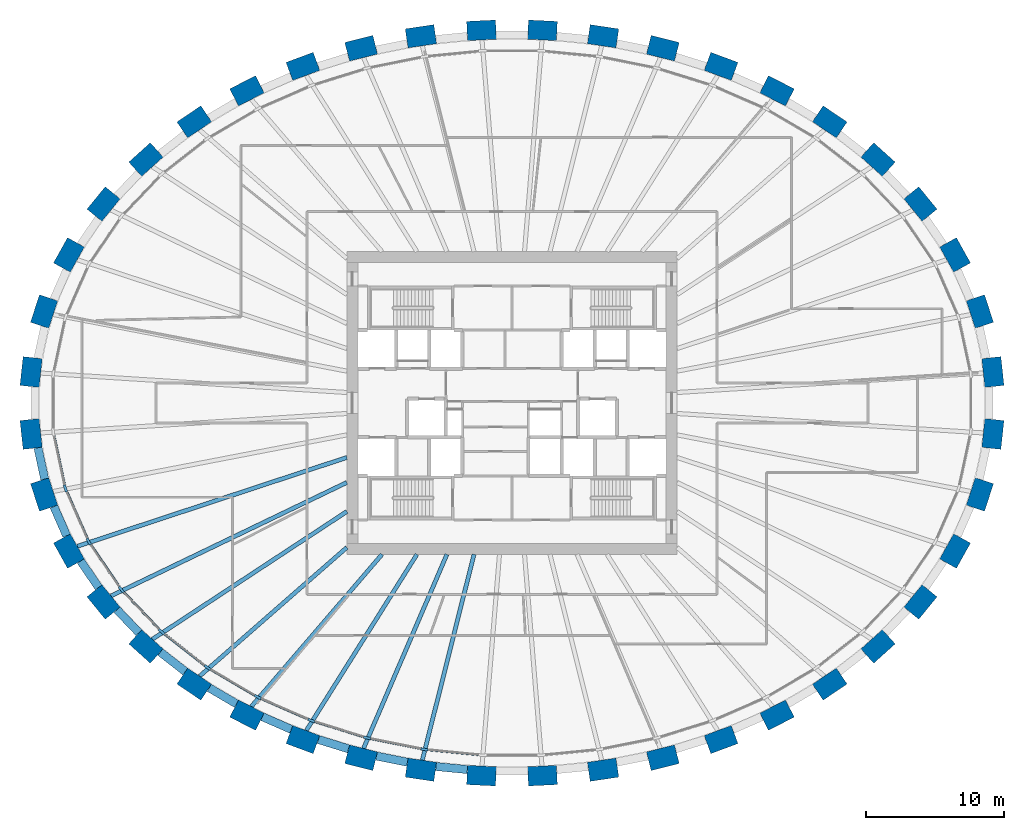
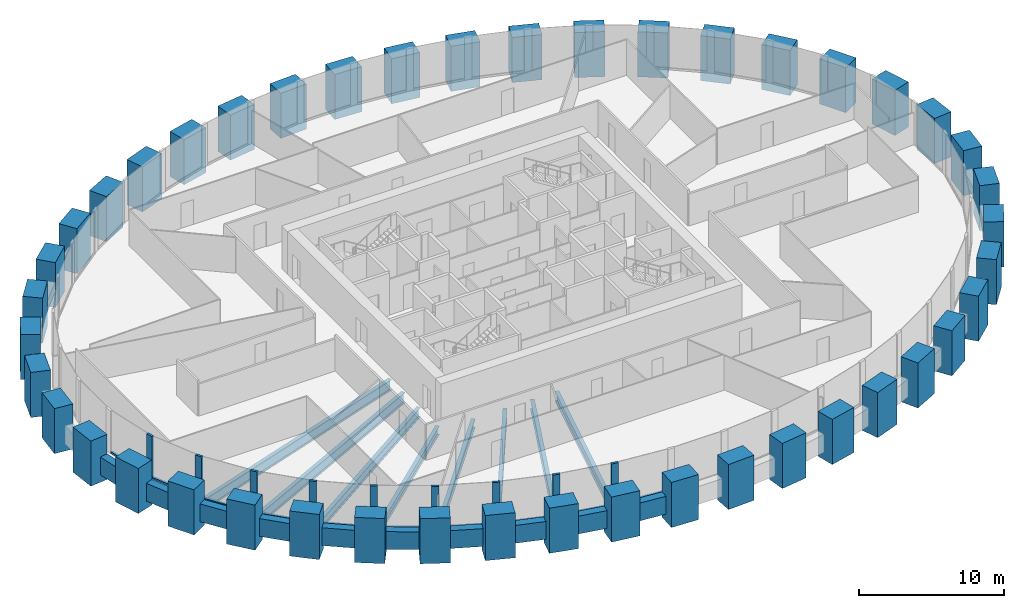
# One storey, part 1 of 11: 44 columns, 19 members, 18 beams, 1 element without a shape of its own.
"""IFC4 building model written with IfcOpenShell, lengths in metres."""

from ifc_helpers import new_model, si_unit, direction, frame, origin, origin_2d, place, context, subcontext, project, spatial, rectangle, i_section, extrude, source, transform, mapped, material, material_profile, profile_set, type_object, element, aggregate, save


model = new_model("IFC4")

# Units and contexts
model_context = context("Model", 3, precision=1e-05, world=origin(), true_north=direction((0.0, 1.0)))
body_context = subcontext(model_context, "Body", "Model", "MODEL_VIEW")
ifc_project = project(units=[si_unit("LENGTHUNIT", "METRE"), si_unit("AREAUNIT", "SQUARE_METRE"), si_unit("VOLUMEUNIT", "CUBIC_METRE"), si_unit("PLANEANGLEUNIT", "RADIAN"), si_unit("MASSUNIT", "GRAM", prefix="KILO")], contexts=[model_context])

# Site, building, storey
site_placement = place(None, origin())
site = spatial("IfcSite", under=ifc_project, at=site_placement, CompositionType="ELEMENT")
building_placement = place(site_placement, origin())
building = spatial("IfcBuilding", under=site, at=building_placement, Name="Embergate Tower", CompositionType="ELEMENT")
storey_placement = place(building_placement, frame((0.0, 0.0, 230.699951171875)))
storey = spatial("IfcBuildingStorey", under=building, at=storey_placement, Name="L53", CompositionType="ELEMENT", Elevation=230.699951171875)

# Columns
ifc_material_1 = material(Name="Concrete C60", Category="concrete")
ifc_material_profile_1 = material_profile(ifc_material_1, rectangle(XDim=1.39990234375, YDim=2.10009765625, at=origin_2d()), Name="RC 1400x2100")
ifc_profile_set_1 = profile_set([ifc_material_profile_1], Name="Concrete C60")
column_type = type_object("IfcColumnType", Name="Ring column RC 1400x2100 C60", PredefinedType="COLUMN", material=ifc_profile_set_1)
shared_shape_1 = source(origin(), body_context, "Body", "SweptSolid", [
    extrude(rectangle(XDim=1.39990234375, YDim=2.10009765625, at=origin_2d()), origin(), (0.0, 0.0, 1.0), 3.800048828125),
])
for number, where, z_axis, x_axis, name in (
    (1, (34.93505859375, 2.25, -1.39990234375), (0.0, 0.0, 1.0), (0.99428589498, 0.106749983816, 0.0), "COL-L53-00"),
    (2, (33.989990234375, 6.64501953125, -1.39990234375), (0.0, 0.0, 1.0), (0.950754033697, 0.309946394413, 0.0), "COL-L53-01"),
    (3, (32.18798828125, 10.75390625, -1.39990234375), (0.0, 0.0, 1.0), (0.873500465855, 0.486823311018, 0.0), "COL-L53-02"),
    (4, (29.672119140625, 14.455078125, -1.39990234375), (0.0, 0.0, 1.0), (0.775925311702, 0.630824786022, 0.0), "COL-L53-03"),
    (5, (26.592041015625, 17.68408203125, -1.39990234375), (0.0, 0.0, 1.0), (0.669221393633, 0.743063070206, 0.0), "COL-L53-04"),
    (6, (23.0830078125, 20.423095703125, -1.39990234375), (0.0, 0.0, 1.0), (0.560393279442, 0.828226643109, 0.0), "COL-L53-05"),
    (7, (19.2529296875, 22.675048828125, -1.39990234375), (0.0, 0.0, 1.0), (0.453010512651, 0.891505174089, 0.0), "COL-L53-06"),
    (8, (15.18896484375, 24.452880859375, -1.39990234375), (0.0, 0.0, 1.0), (0.348343015724, 0.93736713373, 0.0), "COL-L53-07"),
    (9, (10.9580078125, 25.77001953125, -1.39990234375), (0.0, 0.0, 1.0), (0.24650851817, 0.969140624713, 0.0), "COL-L53-08"),
    (10, (6.616943359375, 26.64111328125, -1.39990234375), (0.0, 0.0, 1.0), (0.146929011949, 0.989147039346, 0.0), "COL-L53-09"),
    (11, (2.212890625, 27.073974609375, -1.39990234375), (0.0, 0.0, 1.0), (0.048814904854, 0.998807841912, 0.0), "COL-L53-10"),
    (12, (-2.212890625, 27.073974609375, -1.39990234375), (0.0, 0.0, 1.0), (-0.048814904854, 0.998807841912, 0.0), "COL-L53-11"),
    (13, (-6.616943359375, 26.64111328125, -1.39990234375), (0.0, 0.0, 1.0), (-0.146929011949, 0.989147039346, 0.0), "COL-L53-12"),
    (14, (-10.9580078125, 25.77001953125, -1.39990234375), (0.0, 0.0, 1.0), (-0.24650851817, 0.969140624713, 0.0), "COL-L53-13"),
    (15, (-15.18896484375, 24.452880859375, -1.39990234375), (0.0, 0.0, 1.0), (-0.348343015724, 0.93736713373, 0.0), "COL-L53-14"),
    (16, (-19.2529296875, 22.675048828125, -1.39990234375), (0.0, 0.0, 1.0), (-0.453010512651, 0.891505174089, 0.0), "COL-L53-15"),
    (17, (-23.0830078125, 20.423095703125, -1.39990234375), (0.0, 0.0, 1.0), (-0.560393279442, 0.828226643109, 0.0), "COL-L53-16"),
    (18, (-26.592041015625, 17.68408203125, -1.39990234375), (0.0, 0.0, 1.0), (-0.669221393633, 0.743063070206, 0.0), "COL-L53-17"),
    (19, (-29.672119140625, 14.455078125, -1.39990234375), (0.0, 0.0, 1.0), (-0.775925311702, 0.630824786022, 0.0), "COL-L53-18"),
    (20, (-32.18798828125, 10.75390625, -1.39990234375), (0.0, 0.0, 1.0), (-0.873500465855, 0.486823311018, 0.0), "COL-L53-19"),
    (21, (-33.989990234375, 6.64501953125, -1.39990234375), (0.0, 0.0, 1.0), (-0.950754033697, 0.309946394413, 0.0), "COL-L53-20"),
    (22, (-34.93505859375, 2.25, -1.39990234375), (0.0, 0.0, 1.0), (-0.99428589498, 0.106749983816, 0.0), "COL-L53-21"),
    (23, (-34.93505859375, -2.25, -1.39990234375), (0.0, 0.0, 1.0), (-0.99428589498, -0.106749983816, 0.0), "COL-L53-22"),
    (24, (-33.989990234375, -6.64501953125, -1.39990234375), (0.0, 0.0, 1.0), (-0.950754033697, -0.309946394413, 0.0), "COL-L53-23"),
    (25, (-32.18798828125, -10.75390625, -1.39990234375), (0.0, 0.0, 1.0), (-0.873500465855, -0.486823311018, 0.0), "COL-L53-24"),
    (26, (-29.672119140625, -14.455078125, -1.39990234375), (0.0, 0.0, 1.0), (-0.775925311702, -0.630824786022, 0.0), "COL-L53-25"),
    (27, (-26.592041015625, -17.68408203125, -1.39990234375), (0.0, 0.0, 1.0), (-0.669221393633, -0.743063070206, 0.0), "COL-L53-26"),
    (28, (-23.0830078125, -20.423095703125, -1.39990234375), (0.0, 0.0, 1.0), (-0.560393279442, -0.828226643109, 0.0), "COL-L53-27"),
    (29, (-19.2529296875, -22.675048828125, -1.39990234375), (0.0, 0.0, 1.0), (-0.453010512651, -0.891505174089, 0.0), "COL-L53-28"),
    (30, (-15.18896484375, -24.452880859375, -1.39990234375), (0.0, 0.0, 1.0), (-0.348343015724, -0.93736713373, 0.0), "COL-L53-29"),
    (31, (-10.9580078125, -25.77001953125, -1.39990234375), (0.0, 0.0, 1.0), (-0.24650851817, -0.969140624713, 0.0), "COL-L53-30"),
    (32, (-6.616943359375, -26.64111328125, -1.39990234375), (0.0, 0.0, 1.0), (-0.146929011949, -0.989147039346, 0.0), "COL-L53-31"),
    (33, (-2.212890625, -27.073974609375, -1.39990234375), (0.0, 0.0, 1.0), (-0.048814904854, -0.998807841912, 0.0), "COL-L53-32"),
    (34, (2.212890625, -27.073974609375, -1.39990234375), (0.0, 0.0, 1.0), (0.048814904854, -0.998807841912, 0.0), "COL-L53-33"),
    (35, (6.616943359375, -26.64111328125, -1.39990234375), (0.0, 0.0, 1.0), (0.146929011949, -0.989147039346, 0.0), "COL-L53-34"),
    (36, (10.9580078125, -25.77001953125, -1.39990234375), (0.0, 0.0, 1.0), (0.24650851817, -0.969140624713, 0.0), "COL-L53-35"),
    (37, (15.18896484375, -24.452880859375, -1.39990234375), (0.0, 0.0, 1.0), (0.348343015724, -0.93736713373, 0.0), "COL-L53-36"),
    (38, (19.2529296875, -22.675048828125, -1.39990234375), (0.0, 0.0, 1.0), (0.453010512651, -0.891505174089, 0.0), "COL-L53-37"),
    (39, (23.0830078125, -20.423095703125, -1.39990234375), (0.0, 0.0, 1.0), (0.560393279442, -0.828226643109, 0.0), "COL-L53-38"),
    (40, (26.592041015625, -17.68408203125, -1.39990234375), (0.0, 0.0, 1.0), (0.669221393633, -0.743063070206, 0.0), "COL-L53-39"),
    (41, (29.672119140625, -14.455078125, -1.39990234375), (0.0, 0.0, 1.0), (0.775925311702, -0.630824786022, 0.0), "COL-L53-40"),
    (42, (32.18798828125, -10.75390625, -1.39990234375), (0.0, 0.0, 1.0), (0.873500465855, -0.486823311018, 0.0), "COL-L53-41"),
    (43, (33.989990234375, -6.64501953125, -1.39990234375), (0.0, 0.0, 1.0), (0.950754033697, -0.309946394413, 0.0), "COL-L53-42"),
    (44, (34.93505859375, -2.25, -1.39990234375), (0.0, 0.0, 1.0), (0.99428589498, -0.106749983816, 0.0), "COL-L53-43"),
):
    element("IfcColumn", number, at=place(storey_placement, frame(where, z_axis=z_axis, x_axis=x_axis)), inside=storey, type_object=column_type, Name=name, PredefinedType="COLUMN", context=body_context, shape_type="MappedRepresentation", body=[
        mapped(shared_shape_1, transform((0.0, 0.0, 0.0))),
    ])

# Beams
ifc_material_profile_2 = material_profile(ifc_material_1, rectangle(XDim=0.60009765625, YDim=1.5, at=origin_2d()), Name="RC 600x1500")
ifc_profile_set_2 = profile_set([ifc_material_profile_2], Name="Concrete C60")
beam_type_1 = type_object("IfcBeamType", Name="Spandrel beam RC 600x1500 C60", PredefinedType="BEAM", material=ifc_profile_set_2)
shared_shape_2 = source(origin(), body_context, "Body", "SweptSolid", [
    extrude(rectangle(XDim=0.60009765625, YDim=1.5, at=origin_2d()), origin(), (0.0, 0.0, 1.0), 2.326171875),
])
beam_1_placement = place(storey_placement, frame((-34.43701171875, -3.2529296875, 0.0), z_axis=(0.210224296762, -0.977653182397, 0.0), x_axis=(0.977653182397, 0.210224296762, 0.0)))
element("IfcBeam", 45, at=beam_1_placement, inside=storey, type_object=beam_type_1, Name="SPN-L53-22", PredefinedType="BEAM", context=body_context, shape_type="MappedRepresentation", body=[
    mapped(shared_shape_2, transform((0.0, 0.0, 0.0))),
])
shared_shape_3 = source(origin(), body_context, "Body", "SweptSolid", [
    extrude(rectangle(XDim=0.60009765625, YDim=1.5, at=origin_2d()), origin(), (0.0, 0.0, 1.0), 2.3193359375),
])
beam_2_placement = place(storey_placement, frame((-33.282958984375, -7.51904296875, 0.0), z_axis=(0.401768353021, -0.915741333844, 0.0), x_axis=(0.915741333844, 0.401768353021, 0.0)))
element("IfcBeam", 46, at=beam_2_placement, inside=storey, type_object=beam_type_1, Name="SPN-L53-23", PredefinedType="BEAM", context=body_context, shape_type="MappedRepresentation", body=[
    mapped(shared_shape_3, transform((0.0, 0.0, 0.0))),
])
shared_shape_4 = source(origin(), body_context, "Body", "SweptSolid", [
    extrude(rectangle(XDim=0.60009765625, YDim=1.5, at=origin_2d()), origin(), (0.0, 0.0, 1.0), 2.315673828125),
])
beam_3_placement = place(storey_placement, frame((-31.3349609375, -11.47998046875, 0.0), z_axis=(0.562243694996, -0.82697160014, 0.0), x_axis=(0.82697160014, 0.562243694996, 0.0)))
element("IfcBeam", 47, at=beam_3_placement, inside=storey, type_object=beam_type_1, Name="SPN-L53-24", PredefinedType="BEAM", context=body_context, shape_type="MappedRepresentation", body=[
    mapped(shared_shape_4, transform((0.0, 0.0, 0.0))),
])
shared_shape_5 = source(origin(), body_context, "Body", "SweptSolid", [
    extrude(rectangle(XDim=0.60009765625, YDim=1.5, at=origin_2d()), origin(), (0.0, 0.0, 1.0), 2.30712890625),
])
beam_4_placement = place(storey_placement, frame((-28.697998046875, -15.01611328125, 0.0), z_axis=(0.690460646057, -0.723369958076, 0.0), x_axis=(0.723369958076, 0.690460646057, 0.0)))
element("IfcBeam", 48, at=beam_4_placement, inside=storey, type_object=beam_type_1, Name="SPN-L53-25", PredefinedType="BEAM", context=body_context, shape_type="MappedRepresentation", body=[
    mapped(shared_shape_5, transform((0.0, 0.0, 0.0))),
])
shared_shape_6 = source(origin(), body_context, "Body", "SweptSolid", [
    extrude(rectangle(XDim=0.60009765625, YDim=1.5, at=origin_2d()), origin(), (0.0, 0.0, 1.0), 2.30224609375),
])
beam_5_placement = place(storey_placement, frame((-25.549072265625, -18.094970703125, 0.0), z_axis=(0.788466304813, -0.6150779513, 0.0), x_axis=(0.6150779513, 0.788466304813, 0.0)))
element("IfcBeam", 49, at=beam_5_placement, inside=storey, type_object=beam_type_1, Name="SPN-L53-26", PredefinedType="BEAM", context=body_context, shape_type="MappedRepresentation", body=[
    mapped(shared_shape_6, transform((0.0, 0.0, 0.0))),
])
shared_shape_7 = source(origin(), body_context, "Body", "SweptSolid", [
    extrude(rectangle(XDim=0.60009765625, YDim=1.5, at=origin_2d()), origin(), (0.0, 0.0, 1.0), 2.29931640625),
])
beam_6_placement = place(storey_placement, frame((-21.9970703125, -20.69189453125, 0.0), z_axis=(0.86211432003, -0.506713823769, 0.0), x_axis=(0.506713823769, 0.86211432003, 0.0)))
element("IfcBeam", 50, at=beam_6_placement, inside=storey, type_object=beam_type_1, Name="SPN-L53-27", PredefinedType="BEAM", context=body_context, shape_type="MappedRepresentation", body=[
    mapped(shared_shape_7, transform((0.0, 0.0, 0.0))),
])
shared_shape_8 = source(origin(), body_context, "Body", "SweptSolid", [
    extrude(rectangle(XDim=0.60009765625, YDim=1.5, at=origin_2d()), origin(), (0.0, 0.0, 1.0), 2.294189453125),
])
beam_7_placement = place(storey_placement, frame((-18.135986328125, -22.7939453125, 0.0), z_axis=(0.916269649714, -0.400562016437, 0.0), x_axis=(0.400562016437, 0.916269649714, 0.0)))
element("IfcBeam", 51, at=beam_7_placement, inside=storey, type_object=beam_type_1, Name="SPN-L53-28", PredefinedType="BEAM", context=body_context, shape_type="MappedRepresentation", body=[
    mapped(shared_shape_8, transform((0.0, 0.0, 0.0))),
])
shared_shape_9 = source(origin(), body_context, "Body", "SweptSolid", [
    extrude(rectangle(XDim=0.60009765625, YDim=1.5, at=origin_2d()), origin(), (0.0, 0.0, 1.0), 2.29248046875),
])
beam_8_placement = place(storey_placement, frame((-14.06689453125, -24.447021484375, 0.0), z_axis=(0.954869530389, -0.297025554345, 0.0), x_axis=(0.297025554345, 0.954869530389, 0.0)))
element("IfcBeam", 52, at=beam_8_placement, inside=storey, type_object=beam_type_1, Name="SPN-L53-29", PredefinedType="BEAM", context=body_context, shape_type="MappedRepresentation", body=[
    mapped(shared_shape_9, transform((0.0, 0.0, 0.0))),
])
shared_shape_10 = source(origin(), body_context, "Body", "SweptSolid", [
    extrude(rectangle(XDim=0.60009765625, YDim=1.5, at=origin_2d()), origin(), (0.0, 0.0, 1.0), 2.289794921875),
])
beam_9_placement = place(storey_placement, frame((-9.843017578125, -25.64794921875, 0.0), z_axis=(0.980502681686, -0.196505702735, 0.0), x_axis=(0.196505702735, 0.980502681686, 0.0)))
element("IfcBeam", 53, at=beam_9_placement, inside=storey, type_object=beam_type_1, Name="SPN-L53-30", PredefinedType="BEAM", context=body_context, shape_type="MappedRepresentation", body=[
    mapped(shared_shape_10, transform((0.0, 0.0, 0.0))),
])
shared_shape_11 = source(origin(), body_context, "Body", "SweptSolid", [
    extrude(rectangle(XDim=0.60009765625, YDim=1.5, at=origin_2d()), origin(), (0.0, 0.0, 1.0), 2.2890625),
])
beam_10_placement = place(storey_placement, frame((-5.52099609375, -26.407958984375, 0.0), z_axis=(0.995195366702, -0.097909050116, 0.0), x_axis=(0.097909050116, 0.995195366702, 0.0)))
element("IfcBeam", 54, at=beam_10_placement, inside=storey, type_object=beam_type_1, Name="SPN-L53-31", PredefinedType="BEAM", context=body_context, shape_type="MappedRepresentation", body=[
    mapped(shared_shape_11, transform((0.0, 0.0, 0.0))),
])
ifc_material_2 = material(Name="Steel Q355B", Category="steel")
ifc_material_profile_3 = material_profile(ifc_material_2, i_section(OverallWidth=0.300048828125, OverallDepth=0.89990234375, WebThickness=0.01611328125, FlangeThickness=0.028076171875, FilletRadius=0.028076171875, at=origin_2d()), Name="HN 900x300x16x28")
ifc_profile_set_3 = profile_set([ifc_material_profile_3], Name="Steel Q355 grade B")
beam_type_2 = type_object("IfcBeamType", Name="Radial girder HN 900x300x16x28", PredefinedType="BEAM", material=ifc_profile_set_3)
shared_shape_12 = source(origin(), body_context, "Body", "SweptSolid", [
    extrude(i_section(OverallWidth=0.300048828125, OverallDepth=0.89990234375, WebThickness=0.01611328125, FlangeThickness=0.028076171875, FilletRadius=0.028076171875, at=origin_2d()), origin(), (0.0, 0.0, 1.0), 20.614013671875),
])
beam_11_placement = place(storey_placement, frame((-31.576904296875, -10.4130859375, -0.64990234375), z_axis=(0.949691049508, 0.313188298767, 0.0), x_axis=(-0.313188298767, 0.949691049508, 0.0)))
element("IfcBeam", 55, at=beam_11_placement, inside=storey, type_object=beam_type_2, Name="GIR-L53-24", PredefinedType="BEAM", context=body_context, shape_type="MappedRepresentation", body=[
    mapped(shared_shape_12, transform((0.0, 0.0, 0.0))),
])
shared_shape_13 = source(origin(), body_context, "Body", "SweptSolid", [
    extrude(i_section(OverallWidth=0.300048828125, OverallDepth=0.89990234375, WebThickness=0.01611328125, FlangeThickness=0.028076171875, FilletRadius=0.028076171875, at=origin_2d()), origin(), (0.0, 0.0, 1.0), 19.0078125),
])
beam_12_placement = place(storey_placement, frame((-29.12890625, -14.012939453125, -0.64990234375), z_axis=(0.901150926949, 0.433505486538, 0.0), x_axis=(-0.433505486538, 0.901150926949, 0.0)))
element("IfcBeam", 56, at=beam_12_placement, inside=storey, type_object=beam_type_2, Name="GIR-L53-25", PredefinedType="BEAM", context=body_context, shape_type="MappedRepresentation", body=[
    mapped(shared_shape_13, transform((0.0, 0.0, 0.0))),
])
ifc_material_profile_4 = material_profile(ifc_material_2, i_section(OverallWidth=0.300048828125, OverallDepth=0.800048828125, WebThickness=0.013916015625, FlangeThickness=0.02587890625, FilletRadius=0.028076171875, at=origin_2d()), Name="HN 800x300x14x26")
ifc_profile_set_4 = profile_set([ifc_material_profile_4], Name="Steel Q355 grade B")
beam_type_3 = type_object("IfcBeamType", Name="Radial girder HN 800x300x14x26", PredefinedType="BEAM", material=ifc_profile_set_4)
shared_shape_14 = source(origin(), body_context, "Body", "SweptSolid", [
    extrude(i_section(OverallWidth=0.300048828125, OverallDepth=0.800048828125, WebThickness=0.013916015625, FlangeThickness=0.02587890625, FilletRadius=0.028076171875, at=origin_2d()), origin(), (0.0, 0.0, 1.0), 16.89990234375),
])
beam_13_placement = place(storey_placement, frame((-26.1240234375, -17.1640625, -0.599853515625), z_axis=(0.83574544769, 0.549117060986, 0.0), x_axis=(-0.549117060986, 0.83574544769, 0.0)))
element("IfcBeam", 57, at=beam_13_placement, inside=storey, type_object=beam_type_3, Name="GIR-L53-26", PredefinedType="BEAM", context=body_context, shape_type="MappedRepresentation", body=[
    mapped(shared_shape_14, transform((0.0, 0.0, 0.0))),
])
ifc_material_profile_5 = material_profile(ifc_material_2, i_section(OverallWidth=0.300048828125, OverallDepth=0.699951171875, WebThickness=0.012939453125, FlangeThickness=0.02392578125, FilletRadius=0.01806640625, at=origin_2d()), Name="HN 700x300x13x24")
ifc_profile_set_5 = profile_set([ifc_material_profile_5], Name="Steel Q355 grade B")
beam_type_4 = type_object("IfcBeamType", Name="Radial girder HN 700x300x13x24", PredefinedType="BEAM", material=ifc_profile_set_5)
shared_shape_15 = source(origin(), body_context, "Body", "SweptSolid", [
    extrude(i_section(OverallWidth=0.300048828125, OverallDepth=0.699951171875, WebThickness=0.012939453125, FlangeThickness=0.02392578125, FilletRadius=0.01806640625, at=origin_2d()), origin(), (0.0, 0.0, 1.0), 14.2021484375),
])
beam_14_placement = place(storey_placement, frame((-22.69091796875, -19.843017578125, -0.550048828125), z_axis=(0.752766213958, 0.658287951525, 0.0), x_axis=(-0.658287951525, 0.752766213958, 0.0)))
element("IfcBeam", 58, at=beam_14_placement, inside=storey, type_object=beam_type_4, Name="GIR-L53-27", PredefinedType="BEAM", context=body_context, shape_type="MappedRepresentation", body=[
    mapped(shared_shape_15, transform((0.0, 0.0, 0.0))),
])
shared_shape_16 = source(origin(), body_context, "Body", "SweptSolid", [
    extrude(i_section(OverallWidth=0.300048828125, OverallDepth=0.699951171875, WebThickness=0.012939453125, FlangeThickness=0.02392578125, FilletRadius=0.01806640625, at=origin_2d()), origin(), (0.0, 0.0, 1.0), 14.566650390625),
])
beam_15_placement = place(storey_placement, frame((-18.93603515625, -22.051025390625, -0.550048828125), z_axis=(0.651490890216, 0.758656457144, 0.0), x_axis=(-0.758656457144, 0.651490890216, 0.0)))
element("IfcBeam", 59, at=beam_15_placement, inside=storey, type_object=beam_type_4, Name="GIR-L53-28", PredefinedType="BEAM", context=body_context, shape_type="MappedRepresentation", body=[
    mapped(shared_shape_16, transform((0.0, 0.0, 0.0))),
])
shared_shape_17 = source(origin(), body_context, "Body", "SweptSolid", [
    extrude(i_section(OverallWidth=0.300048828125, OverallDepth=0.800048828125, WebThickness=0.013916015625, FlangeThickness=0.02587890625, FilletRadius=0.028076171875, at=origin_2d()), origin(), (0.0, 0.0, 1.0), 15.111572265625),
])
beam_16_placement = place(storey_placement, frame((-14.945068359375, -23.797119140625, -0.599853515625), z_axis=(0.531849241283, 0.846839054689, 0.0), x_axis=(-0.846839054689, 0.531849241283, 0.0)))
element("IfcBeam", 60, at=beam_16_placement, inside=storey, type_object=beam_type_3, Name="GIR-L53-29", PredefinedType="BEAM", context=body_context, shape_type="MappedRepresentation", body=[
    mapped(shared_shape_17, transform((0.0, 0.0, 0.0))),
])
shared_shape_18 = source(origin(), body_context, "Body", "SweptSolid", [
    extrude(i_section(OverallWidth=0.300048828125, OverallDepth=0.800048828125, WebThickness=0.013916015625, FlangeThickness=0.02587890625, FilletRadius=0.028076171875, at=origin_2d()), origin(), (0.0, 0.0, 1.0), 15.338623046875),
])
beam_17_placement = place(storey_placement, frame((-10.784912109375, -25.092041015625, -0.599853515625), z_axis=(0.394879579292, 0.91873288711, 0.0), x_axis=(-0.91873288711, 0.394879579292, 0.0)))
element("IfcBeam", 61, at=beam_17_placement, inside=storey, type_object=beam_type_3, Name="GIR-L53-30", PredefinedType="BEAM", context=body_context, shape_type="MappedRepresentation", body=[
    mapped(shared_shape_18, transform((0.0, 0.0, 0.0))),
])
shared_shape_19 = source(origin(), body_context, "Body", "SweptSolid", [
    extrude(i_section(OverallWidth=0.300048828125, OverallDepth=0.800048828125, WebThickness=0.013916015625, FlangeThickness=0.02587890625, FilletRadius=0.028076171875, at=origin_2d()), origin(), (0.0, 0.0, 1.0), 15.412841796875),
])
beam_18_placement = place(storey_placement, frame((-6.513916015625, -25.948974609375, -0.599853515625), z_axis=(0.243493364417, 0.969902562882, 0.0), x_axis=(-0.969902562882, 0.243493364417, 0.0)))
element("IfcBeam", 62, at=beam_18_placement, inside=storey, type_object=beam_type_3, Name="GIR-L53-31", PredefinedType="BEAM", context=body_context, shape_type="MappedRepresentation", body=[
    mapped(shared_shape_19, transform((0.0, 0.0, 0.0))),
])

# Curtain wall, members
ifc_material_3 = material(Name="Aluminium and glass", Category="aluminium")
curtain_wall_type = type_object("IfcCurtainWallType", Name="Recessed office glazing", PredefinedType="NOTDEFINED", material=ifc_material_3)
curtain_wall_placement = place(storey_placement, origin())
curtain_wall = element("IfcCurtainWall", 63, at=curtain_wall_placement, inside=storey, type_object=curtain_wall_type, Name="Recessed office glazing ring", ObjectType="RECESSED OFFICE GLAZING", PredefinedType="USERDEFINED")
ifc_material_4 = material(Name="Aluminium, thermally broken", Category="aluminium")
ifc_material_profile_6 = material_profile(ifc_material_4, rectangle(XDim=0.179931640625, YDim=0.52001953125, at=origin_2d()), Name="AL 520x180")
ifc_profile_set_6 = profile_set([ifc_material_profile_6], Name="Aluminium, thermally broken")
member_type_1 = type_object("IfcMemberType", Name="Office mullion", PredefinedType="MULLION", material=ifc_profile_set_6)
shared_shape_20 = source(origin(), body_context, "Body", "SweptSolid", [
    extrude(rectangle(XDim=0.179931640625, YDim=0.52001953125, at=origin_2d()), origin(), (0.0, 0.0, 1.0), 3.60009765625),
])
member_1_placement = place(storey_placement, frame((-32.445068359375, -6.209228515625, 0.0), z_axis=(0.0, 0.0, 1.0), x_axis=(0.951493502218, 0.307668840212, 0.0)))
member_1 = element("IfcMember", 64, at=member_1_placement, type_object=member_type_1, Name="CW mullion 24", PredefinedType="MULLION", context=body_context, shape_type="MappedRepresentation", body=[
    mapped(shared_shape_20, transform((0.0, 0.0, 0.0))),
])
member_2_placement = place(storey_placement, frame((-30.754150390625, -10.064453125, 0.0), z_axis=(0.0, 0.0, 1.0), x_axis=(0.87499344622, 0.484134763338, 0.0)))
member_2 = element("IfcMember", 65, at=member_2_placement, type_object=member_type_1, Name="CW mullion 25", PredefinedType="MULLION", context=body_context, shape_type="MappedRepresentation", body=[
    mapped(shared_shape_20, transform((0.0, 0.0, 0.0))),
])
member_3_placement = place(storey_placement, frame((-28.3818359375, -13.552978515625, 0.0), z_axis=(0.0, 0.0, 1.0), x_axis=(0.777860499375, 0.62843698452, 0.0)))
member_3 = element("IfcMember", 66, at=member_3_placement, type_object=member_type_1, Name="CW mullion 26", PredefinedType="MULLION", context=body_context, shape_type="MappedRepresentation", body=[
    mapped(shared_shape_20, transform((0.0, 0.0, 0.0))),
])
member_4_placement = place(storey_placement, frame((-25.46435546875, -16.612060546875, 0.0), z_axis=(0.0, 0.0, 1.0), x_axis=(0.67121489031, 0.741262821829, 0.0)))
member_4 = element("IfcMember", 67, at=member_4_placement, type_object=member_type_1, Name="CW mullion 27", PredefinedType="MULLION", context=body_context, shape_type="MappedRepresentation", body=[
    mapped(shared_shape_20, transform((0.0, 0.0, 0.0))),
])
member_5_placement = place(storey_placement, frame((-22.126220703125, -19.21728515625, 0.0), z_axis=(0.0, 0.0, 1.0), x_axis=(0.562204628156, 0.826998159659, 0.0)))
member_5 = element("IfcMember", 68, at=member_5_placement, type_object=member_type_1, Name="CW mullion 28", PredefinedType="MULLION", context=body_context, shape_type="MappedRepresentation", body=[
    mapped(shared_shape_20, transform((0.0, 0.0, 0.0))),
])
member_6_placement = place(storey_placement, frame((-18.470703125, -21.366455078125, 0.0), z_axis=(0.0, 0.0, 1.0), x_axis=(0.454500498039, 0.890746483171, 0.0)))
member_6 = element("IfcMember", 69, at=member_6_placement, type_object=member_type_1, Name="CW mullion 29", PredefinedType="MULLION", context=body_context, shape_type="MappedRepresentation", body=[
    mapped(shared_shape_20, transform((0.0, 0.0, 0.0))),
])
member_7_placement = place(storey_placement, frame((-14.5810546875, -23.067138671875, 0.0), z_axis=(0.0, 0.0, 1.0), x_axis=(0.349492871267, 0.93693902306, 0.0)))
member_7 = element("IfcMember", 70, at=member_7_placement, type_object=member_type_1, Name="CW mullion 30", PredefinedType="MULLION", context=body_context, shape_type="MappedRepresentation", body=[
    mapped(shared_shape_20, transform((0.0, 0.0, 0.0))),
])
member_8_placement = place(storey_placement, frame((-10.52490234375, -24.330322265625, 0.0), z_axis=(0.0, 0.0, 1.0), x_axis=(0.247305116915, 0.968937654933, 0.0)))
member_8 = element("IfcMember", 71, at=member_8_placement, type_object=member_type_1, Name="CW mullion 31", PredefinedType="MULLION", context=body_context, shape_type="MappedRepresentation", body=[
    mapped(shared_shape_20, transform((0.0, 0.0, 0.0))),
])
member_9_placement = place(storey_placement, frame((-6.357421875, -25.166259765625, 0.0), z_axis=(0.0, 0.0, 1.0), x_axis=(0.147407204031, 0.98907589001, 0.0)))
member_9 = element("IfcMember", 72, at=member_9_placement, type_object=member_type_1, Name="CW mullion 32", PredefinedType="MULLION", context=body_context, shape_type="MappedRepresentation", body=[
    mapped(shared_shape_20, transform((0.0, 0.0, 0.0))),
])
ifc_material_profile_7 = material_profile(ifc_material_4, rectangle(XDim=0.179931640625, YDim=0.14990234375, at=origin_2d()), Name="AL 150x180")
ifc_profile_set_7 = profile_set([ifc_material_profile_7], Name="Aluminium, thermally broken")
member_type_2 = type_object("IfcMemberType", Name="Office sill transom", PredefinedType="USERDEFINED", material=ifc_profile_set_7)
shared_shape_21 = source(origin(), body_context, "Body", "SweptSolid", [
    extrude(rectangle(XDim=0.179931640625, YDim=0.14990234375, at=origin_2d()), origin(), (0.0, 0.0, 1.0), 3.68310546875),
])
member_10_placement = place(storey_placement, frame((-33.274658203125, -2.3544921875, 0.074951171875), z_axis=(0.210398187451, -0.977615774585, 0.0), x_axis=(0.977615774585, 0.210398187451, 0.0)))
member_10 = element("IfcMember", 73, at=member_10_placement, type_object=member_type_2, Name="CW transom 23.1", ObjectType="TRANSOM", PredefinedType="USERDEFINED", context=body_context, shape_type="MappedRepresentation", body=[
    mapped(shared_shape_21, transform((0.0, 0.0, 0.0))),
])
shared_shape_22 = source(origin(), body_context, "Body", "SweptSolid", [
    extrude(rectangle(XDim=0.179931640625, YDim=0.14990234375, at=origin_2d()), origin(), (0.0, 0.0, 1.0), 3.68994140625),
])
member_11_placement = place(storey_placement, frame((-32.3408203125, -6.447265625, 0.074951171875), z_axis=(0.401682912094, -0.91577881507, 0.0), x_axis=(0.91577881507, 0.401682912094, 0.0)))
member_11 = element("IfcMember", 74, at=member_11_placement, type_object=member_type_2, Name="CW transom 24.1", ObjectType="TRANSOM", PredefinedType="USERDEFINED", context=body_context, shape_type="MappedRepresentation", body=[
    mapped(shared_shape_22, transform((0.0, 0.0, 0.0))),
])
shared_shape_23 = source(origin(), body_context, "Body", "SweptSolid", [
    extrude(rectangle(XDim=0.179931640625, YDim=0.14990234375, at=origin_2d()), origin(), (0.0, 0.0, 1.0), 3.698486328125),
])
member_12_placement = place(storey_placement, frame((-30.60791015625, -10.279541015625, 0.074951171875), z_axis=(0.562338909452, -0.826906857461, 0.0), x_axis=(0.826906857461, 0.562338909452, 0.0)))
member_12 = element("IfcMember", 75, at=member_12_placement, type_object=member_type_2, Name="CW transom 25.1", ObjectType="TRANSOM", PredefinedType="USERDEFINED", context=body_context, shape_type="MappedRepresentation", body=[
    mapped(shared_shape_23, transform((0.0, 0.0, 0.0))),
])
shared_shape_24 = source(origin(), body_context, "Body", "SweptSolid", [
    extrude(rectangle(XDim=0.179931640625, YDim=0.14990234375, at=origin_2d()), origin(), (0.0, 0.0, 1.0), 3.707275390625),
])
member_13_placement = place(storey_placement, frame((-28.202392578125, -13.740966796875, 0.074951171875), z_axis=(0.69014832896, -0.723667937685, 0.0), x_axis=(0.723667937685, 0.69014832896, 0.0)))
member_13 = element("IfcMember", 76, at=member_13_placement, type_object=member_type_2, Name="CW transom 26.1", ObjectType="TRANSOM", PredefinedType="USERDEFINED", context=body_context, shape_type="MappedRepresentation", body=[
    mapped(shared_shape_24, transform((0.0, 0.0, 0.0))),
])
shared_shape_25 = source(origin(), body_context, "Body", "SweptSolid", [
    extrude(rectangle(XDim=0.179931640625, YDim=0.14990234375, at=origin_2d()), origin(), (0.0, 0.0, 1.0), 3.714599609375),
])
member_14_placement = place(storey_placement, frame((-25.259521484375, -16.77197265625, 0.074951171875), z_axis=(0.788346104957, -0.615232004043, 0.0), x_axis=(0.615232004043, 0.788346104957, 0.0)))
member_14 = element("IfcMember", 77, at=member_14_placement, type_object=member_type_2, Name="CW transom 27.1", ObjectType="TRANSOM", PredefinedType="USERDEFINED", context=body_context, shape_type="MappedRepresentation", body=[
    mapped(shared_shape_25, transform((0.0, 0.0, 0.0))),
])
shared_shape_26 = source(origin(), body_context, "Body", "SweptSolid", [
    extrude(rectangle(XDim=0.179931640625, YDim=0.14990234375, at=origin_2d()), origin(), (0.0, 0.0, 1.0), 3.720703125),
])
member_15_placement = place(storey_placement, frame((-21.902099609375, -19.34912109375, 0.074951171875), z_axis=(0.862084305092, -0.506764887215, 0.0), x_axis=(0.506764887215, 0.862084305092, 0.0)))
member_15 = element("IfcMember", 78, at=member_15_placement, type_object=member_type_2, Name="CW transom 28.1", ObjectType="TRANSOM", PredefinedType="USERDEFINED", context=body_context, shape_type="MappedRepresentation", body=[
    mapped(shared_shape_26, transform((0.0, 0.0, 0.0))),
])
shared_shape_27 = source(origin(), body_context, "Body", "SweptSolid", [
    extrude(rectangle(XDim=0.179931640625, YDim=0.14990234375, at=origin_2d()), origin(), (0.0, 0.0, 1.0), 3.72509765625),
])
member_16_placement = place(storey_placement, frame((-18.232421875, -21.470703125, 0.074951171875), z_axis=(0.916259591607, -0.400585023169, 0.0), x_axis=(0.400585023169, 0.916259591607, 0.0)))
member_16 = element("IfcMember", 79, at=member_16_placement, type_object=member_type_2, Name="CW transom 29.1", ObjectType="TRANSOM", PredefinedType="USERDEFINED", context=body_context, shape_type="MappedRepresentation", body=[
    mapped(shared_shape_27, transform((0.0, 0.0, 0.0))),
])
shared_shape_28 = source(origin(), body_context, "Body", "SweptSolid", [
    extrude(rectangle(XDim=0.179931640625, YDim=0.14990234375, at=origin_2d()), origin(), (0.0, 0.0, 1.0), 3.728515625),
])
member_17_placement = place(storey_placement, frame((-14.3330078125, -23.14453125, 0.074951171875), z_axis=(0.954769644307, -0.297346475194, 0.0), x_axis=(0.297346475194, 0.954769644307, 0.0)))
member_17 = element("IfcMember", 80, at=member_17_placement, type_object=member_type_2, Name="CW transom 30.1", ObjectType="TRANSOM", PredefinedType="USERDEFINED", context=body_context, shape_type="MappedRepresentation", body=[
    mapped(shared_shape_28, transform((0.0, 0.0, 0.0))),
])
shared_shape_29 = source(origin(), body_context, "Body", "SweptSolid", [
    extrude(rectangle(XDim=0.179931640625, YDim=0.14990234375, at=origin_2d()), origin(), (0.0, 0.0, 1.0), 3.73046875),
])
member_18_placement = place(storey_placement, frame((-10.27001953125, -24.381591796875, 0.074951171875), z_axis=(0.98048490986, -0.196594357844, 0.0), x_axis=(0.196594357844, 0.98048490986, 0.0)))
member_18 = element("IfcMember", 81, at=member_18_placement, type_object=member_type_2, Name="CW transom 31.1", ObjectType="TRANSOM", PredefinedType="USERDEFINED", context=body_context, shape_type="MappedRepresentation", body=[
    mapped(shared_shape_29, transform((0.0, 0.0, 0.0))),
])
shared_shape_30 = source(origin(), body_context, "Body", "SweptSolid", [
    extrude(rectangle(XDim=0.179931640625, YDim=0.14990234375, at=origin_2d()), origin(), (0.0, 0.0, 1.0), 3.731689453125),
])
member_19_placement = place(storey_placement, frame((-6.0986328125, -25.191650390625, 0.074951171875), z_axis=(0.995205452535, -0.097806478539, 0.0), x_axis=(0.097806478539, 0.995205452535, 0.0)))
member_19 = element("IfcMember", 82, at=member_19_placement, type_object=member_type_2, Name="CW transom 32.1", ObjectType="TRANSOM", PredefinedType="USERDEFINED", context=body_context, shape_type="MappedRepresentation", body=[
    mapped(shared_shape_30, transform((0.0, 0.0, 0.0))),
])
aggregate(curtain_wall, [member_1, member_2, member_3, member_4, member_5, member_6, member_7, member_8, member_9, member_10, member_11, member_12, member_13, member_14, member_15, member_16, member_17, member_18, member_19])

save(model, "model.ifc")
